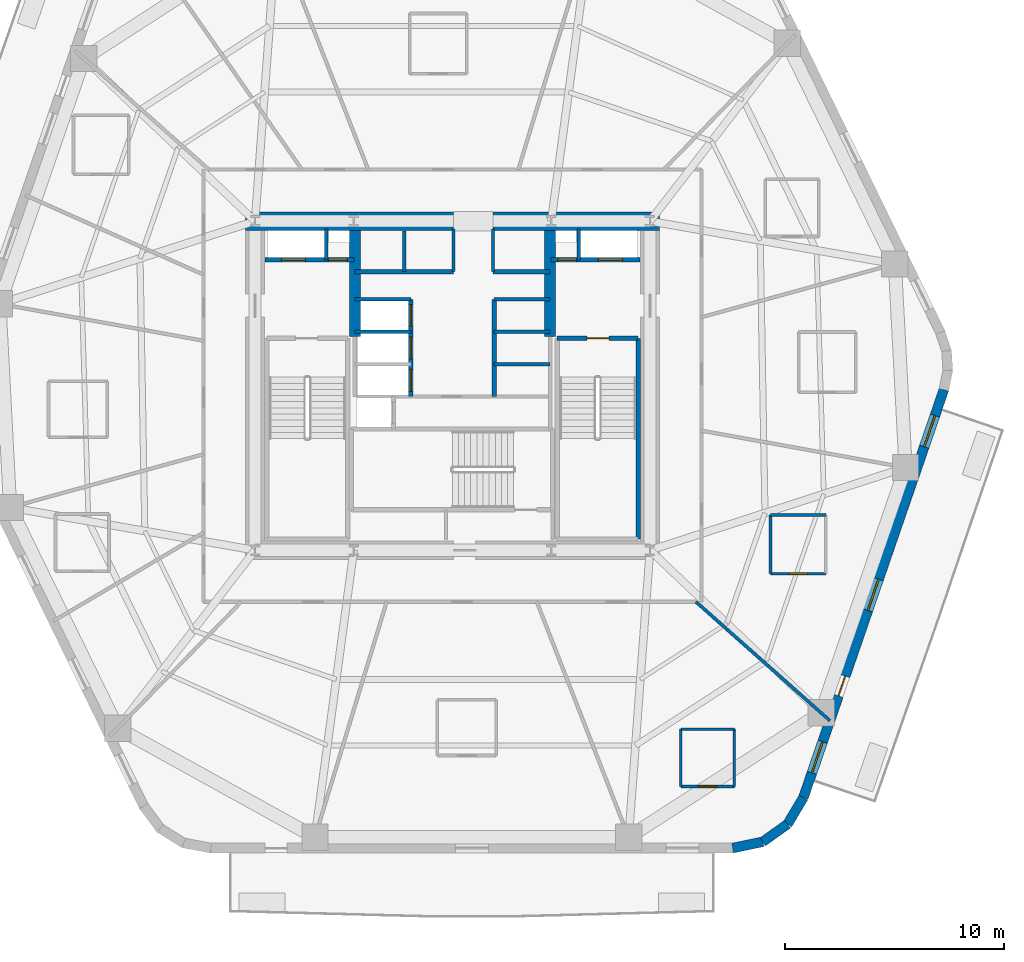
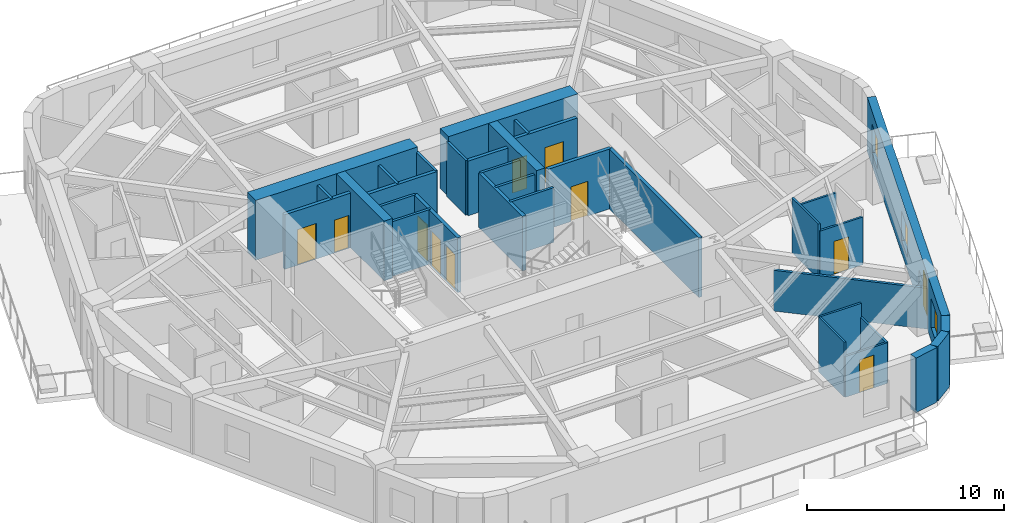
# One storey, part 4 of 8: 34 walls, 11 doors, 3 windows, 14 openings.
"""IFC4 building model written with IfcOpenShell, lengths in metres."""

from ifc_helpers import new_model, si_unit, direction, frame, frame_2d, origin, place, context, subcontext, project, spatial, rectangle, extrude, material, layer, layer_set, type_object, element, fill, save


model = new_model("IFC4")

# Units and contexts
model_context = context("Model", 3, precision=1e-05, world=origin(), true_north=direction((0.0, 1.0)))
body_context = subcontext(model_context, "Body", "Model", "MODEL_VIEW")
ifc_project = project(units=[si_unit("LENGTHUNIT", "METRE"), si_unit("AREAUNIT", "SQUARE_METRE"), si_unit("VOLUMEUNIT", "CUBIC_METRE"), si_unit("PLANEANGLEUNIT", "RADIAN"), si_unit("MASSUNIT", "GRAM", prefix="KILO")], contexts=[model_context])

# Site, building, storey
site_placement = place(None, origin())
site = spatial("IfcSite", under=ifc_project, at=site_placement, CompositionType="ELEMENT")
building_placement = place(site_placement, origin())
building = spatial("IfcBuilding", under=site, at=building_placement, Name="Kilnhurst Terrace Hotel", CompositionType="ELEMENT")
storey_placement = place(building_placement, frame((0.0, 0.0, 135.800048828125)))
storey = spatial("IfcBuildingStorey", under=building, at=storey_placement, Name="L33", CompositionType="ELEMENT", Elevation=135.800048828125)

# Walls
ifc_material_1 = material(Name="Precast concrete C40/50", Category="concrete")
ifc_layer_1 = layer(ifc_material_1, 0.449951171875, Name="Precast concrete C40/50")
ifc_layer_set_1 = layer_set([ifc_layer_1], Name="Precast concrete C40/50")
wall_type_1 = type_object("IfcWallType", Name="WL-BRK-450", PredefinedType="SOLIDWALL", material=ifc_layer_set_1)
wall_1_placement = place(storey_placement, frame((12.7705078125, -21.074951171875, 0.0), z_axis=(0.0, 0.0, 1.0), x_axis=(0.97874281988, 0.205091424819, 0.0)))
element("IfcWall", 1, at=wall_1_placement, inside=storey, type_object=wall_type_1, Name="L33 Rounded Corner Brick Wall C2.1", PredefinedType="SOLIDWALL", context=body_context, shape_type="SweptSolid", body=[
    extrude(rectangle(XDim=1.40576171875, YDim=0.449951171875, at=frame_2d((0.702880859375, 0.0))), origin(), (0.0, 0.0, 1.0), 3.3798828125),
])
wall_2_placement = place(storey_placement, frame((14.146484375, -20.78662109375, 0.0), z_axis=(0.0, 0.0, 1.0), x_axis=(0.814162929117, 0.580636482536, 0.0)))
element("IfcWall", 2, at=wall_2_placement, inside=storey, type_object=wall_type_1, Name="L33 Rounded Corner Brick Wall C2.2", PredefinedType="SOLIDWALL", context=body_context, shape_type="SweptSolid", body=[
    extrude(rectangle(XDim=1.382080078125, YDim=0.449951171875, at=frame_2d((0.69091796875, 0.0))), origin(), (0.0, 0.0, 1.0), 3.3798828125),
])
wall_3_placement = place(storey_placement, frame((15.271728515625, -19.984130859375, 0.0), z_axis=(0.0, 0.0, 1.0), x_axis=(0.512579347361, 0.858639862025, 0.0)))
element("IfcWall", 3, at=wall_3_placement, inside=storey, type_object=wall_type_1, Name="L33 Rounded Corner Brick Wall C2.3", PredefinedType="SOLIDWALL", context=body_context, shape_type="SweptSolid", body=[
    extrude(rectangle(XDim=1.406005859375, YDim=0.449951171875, at=frame_2d((0.703125, 0.0))), origin(), (0.0, 0.0, 1.0), 3.3798828125),
])

# Wall, openings, door, windows
wall_4_placement = place(storey_placement, frame((15.992431640625, -18.77685546875, 0.0), z_axis=(0.0, 0.0, 1.0), x_axis=(0.325606988926, 0.945505202927, 0.0)))
wall_4 = element("IfcWall", 4, at=wall_4_placement, inside=storey, type_object=wall_type_1, Name="L33 Exterior Brick Facade Wall F2", PredefinedType="SOLIDWALL", context=body_context, shape_type="SweptSolid", body=[
    extrude(rectangle(XDim=19.66943359375, YDim=0.449951171875, at=frame_2d((9.834716796875, 0.0))), origin(), (0.0, 0.0, 1.0), 3.3798828125),
])
opening_1_placement = place(wall_4_placement, frame((4.908935546875, 0.0, 0.0)))
opening_1 = element("IfcOpeningElement", 5, at=opening_1_placement, cuts=wall_4, Name="Opening BD-950", PredefinedType="OPENING", context=body_context, shape_type="SweptSolid", body=[
    extrude(rectangle(XDim=0.949951171875, YDim=2.14990234375, at=frame_2d((0.47509765625, 1.074951171875))), frame((0.0, 0.23486328125, 0.0), z_axis=(0.0, -1.0, 0.0), x_axis=(1.0, 0.0, 0.0)), (0.0, 0.0, 1.0), 0.469970703125),
])
opening_2_placement = place(wall_4_placement, frame((1.197021484375, 0.0, 0.800048828125)))
opening_2 = element("IfcOpeningElement", 6, at=opening_2_placement, cuts=wall_4, Name="Opening W-02", PredefinedType="OPENING", context=body_context, shape_type="SweptSolid", body=[
    extrude(rectangle(XDim=1.5, YDim=1.800048828125, at=frame_2d((0.75, 0.89990234375))), frame((0.0, 0.23486328125, 0.0), z_axis=(0.0, -1.0, 0.0), x_axis=(1.0, 0.0, 0.0)), (0.0, 0.0, 1.0), 0.469970703125),
])
opening_3_placement = place(wall_4_placement, frame((9.030029296875, 0.0, 0.800048828125)))
opening_3 = element("IfcOpeningElement", 7, at=opening_3_placement, cuts=wall_4, Name="Opening W-02", PredefinedType="OPENING", context=body_context, shape_type="SweptSolid", body=[
    extrude(rectangle(XDim=1.5, YDim=1.800048828125, at=frame_2d((0.75, 0.89990234375))), frame((0.0, 0.23486328125, 0.0), z_axis=(0.0, -1.0, 0.0), x_axis=(1.0, 0.0, 0.0)), (0.0, 0.0, 1.0), 0.469970703125),
])
opening_4_placement = place(wall_4_placement, frame((16.91796875, 0.0, 0.800048828125)))
opening_4 = element("IfcOpeningElement", 8, at=opening_4_placement, cuts=wall_4, Name="Opening W-02", PredefinedType="OPENING", context=body_context, shape_type="SweptSolid", body=[
    extrude(rectangle(XDim=1.5, YDim=1.800048828125, at=frame_2d((0.75, 0.89990234375))), frame((0.0, 0.23486328125, 0.0), z_axis=(0.0, -1.0, 0.0), x_axis=(1.0, 0.0, 0.0)), (0.0, 0.0, 1.0), 0.469970703125),
])
ifc_material_2 = material(Name="Thermally Broken Bronze Aluminium Alloy 6063-T6 and Laminated Glass", Category="aluminium")
door_type_1 = type_object("IfcDoorType", Name="DR-EXT-BAL-950", OperationType="NOTDEFINED", PredefinedType="DOOR", material=ifc_material_2)
door_1_placement = place(opening_1_placement, origin())
door_1 = element("IfcDoor", 9, at=door_1_placement, inside=storey, type_object=door_type_1, Name="L33 Planted Balcony Door BAL-L1B", OperationType="SINGLE_SWING_RIGHT", OverallHeight=2.14990234375, OverallWidth=0.949951171875, PredefinedType="DOOR", context=body_context, shape_type="SweptSolid", body=[
    extrude(rectangle(XDim=0.949951171875, YDim=2.14990234375, at=frame_2d((0.47509765625, 1.074951171875))), frame((0.0, 0.02490234375, 0.0), z_axis=(0.0, -1.0, 0.0), x_axis=(1.0, 0.0, 0.0)), (0.0, 0.0, 1.0), 0.050048828125),
])
fill(opening_1, door_1)
ifc_material_3 = material(Name="Thermally Broken Bronze Aluminium Alloy 6063-T6 and Low-E Glass", Category="aluminium")
window_type = type_object("IfcWindowType", Name="WIN-1500X1800", PartitioningType="SINGLE_PANEL", PredefinedType="WINDOW", material=ifc_material_3)
window_1_placement = place(opening_2_placement, origin())
window_1 = element("IfcWindow", 10, at=window_1_placement, inside=storey, type_object=window_type, Name="L33 Deep-Set Masonry Window F2.1", OverallHeight=1.800048828125, OverallWidth=1.5, PartitioningType="SINGLE_PANEL", PredefinedType="WINDOW", context=body_context, shape_type="SweptSolid", body=[
    extrude(rectangle(XDim=1.5, YDim=1.800048828125, at=frame_2d((0.75, 0.89990234375))), frame((0.0, 0.030029296875, 0.0), z_axis=(0.0, -1.0, 0.0), x_axis=(1.0, 0.0, 0.0)), (0.0, 0.0, 1.0), 0.06005859375),
])
fill(opening_2, window_1)
window_2_placement = place(opening_3_placement, origin())
window_2 = element("IfcWindow", 11, at=window_2_placement, inside=storey, type_object=window_type, Name="L33 Deep-Set Masonry Window F2.2", OverallHeight=1.800048828125, OverallWidth=1.5, PartitioningType="SINGLE_PANEL", PredefinedType="WINDOW", context=body_context, shape_type="SweptSolid", body=[
    extrude(rectangle(XDim=1.5, YDim=1.800048828125, at=frame_2d((0.75, 0.89990234375))), frame((0.0, 0.030029296875, 0.0), z_axis=(0.0, -1.0, 0.0), x_axis=(1.0, 0.0, 0.0)), (0.0, 0.0, 1.0), 0.06005859375),
])
fill(opening_3, window_2)
window_3_placement = place(opening_4_placement, origin())
window_3 = element("IfcWindow", 12, at=window_3_placement, inside=storey, type_object=window_type, Name="L33 Deep-Set Masonry Window F2.3", OverallHeight=1.800048828125, OverallWidth=1.5, PartitioningType="SINGLE_PANEL", PredefinedType="WINDOW", context=body_context, shape_type="SweptSolid", body=[
    extrude(rectangle(XDim=1.5, YDim=1.800048828125, at=frame_2d((0.75, 0.89990234375))), frame((0.0, 0.030029296875, 0.0), z_axis=(0.0, -1.0, 0.0), x_axis=(1.0, 0.0, 0.0)), (0.0, 0.0, 1.0), 0.06005859375),
])
fill(opening_4, window_3)

# Walls
ifc_material_4 = material(Name="Concrete C80/95", Category="concrete")
ifc_layer_2 = layer(ifc_material_4, 0.85009765625, Name="Concrete C80/95")
ifc_layer_set_2 = layer_set([ifc_layer_2], Name="Concrete C80/95")
wall_type_2 = type_object("IfcWallType", Name="WL-CORE-850", PredefinedType="SHEAR", material=ifc_layer_set_2)
wall_5_placement = place(storey_placement, frame((-9.425048828125, 7.5, 0.0), z_axis=(0.0, 0.0, 1.0), x_axis=(1.0, 0.0, 0.0)))
element("IfcWall", 13, at=wall_5_placement, inside=storey, type_object=wall_type_2, Name="L33 Core North West Shear Wall", PredefinedType="SHEAR", context=body_context, shape_type="SweptSolid", body=[
    extrude(rectangle(XDim=9.47509765625, YDim=0.85009765625, at=frame_2d((4.737548828125, 0.0))), origin(), (0.0, 0.0, 1.0), 3.699951171875),
])
wall_6_placement = place(storey_placement, frame((1.85009765625, 7.5, 0.0), z_axis=(0.0, 0.0, 1.0), x_axis=(1.0, 0.0, 0.0)))
element("IfcWall", 14, at=wall_6_placement, inside=storey, type_object=wall_type_2, Name="L33 Core North East Shear Wall", PredefinedType="SHEAR", context=body_context, shape_type="SweptSolid", body=[
    extrude(rectangle(XDim=7.574951171875, YDim=0.85009765625, at=frame_2d((3.78759765625, 0.0))), origin(), (0.0, 0.0, 1.0), 3.699951171875),
])
ifc_material_5 = material(Name="Concrete C60/75", Category="concrete")
ifc_layer_3 = layer(ifc_material_5, 0.5, Name="Concrete C60/75")
ifc_layer_set_3 = layer_set([ifc_layer_3], Name="Concrete C60/75")
wall_type_3 = type_object("IfcWallType", Name="WL-CORE-WEB-500", PredefinedType="SHEAR", material=ifc_layer_set_3)
for number, where, z_axis, x_axis, name in (
    (15, (-4.449951171875, 2.25, 0.0), (0.0, 0.0, 1.0), (0.0, 1.0, 0.0), "L33 Core Internal West Shear Web"),
    (16, (4.449951171875, 2.25, 0.0), (0.0, 0.0, 1.0), (0.0, 1.0, 0.0), "L33 Core Internal East Shear Web"),
):
    element("IfcWall", number, at=place(storey_placement, frame(where, z_axis=z_axis, x_axis=x_axis)), inside=storey, type_object=wall_type_3, Name=name, PredefinedType="SHEAR", context=body_context, shape_type="SweptSolid", body=[
        extrude(rectangle(XDim=4.824951171875, YDim=0.5, at=frame_2d((2.41259765625, 0.0))), origin(), (0.0, 0.0, 1.0), 3.699951171875),
    ])
ifc_material_6 = material(Name="STC-58 Acoustic Twin-Frame Guestroom Demising Partition")
ifc_layer_4 = layer(ifc_material_6, 0.14990234375, Name="STC-58 Acoustic Twin-Frame Guestroom Demising Partition")
ifc_layer_set_4 = layer_set([ifc_layer_4], Name="STC-58 Acoustic Twin-Frame Guestroom Demising Partition")
wall_type_4 = type_object("IfcWallType", Name="WL-DEM-150", PredefinedType="PARTITIONING", material=ifc_layer_set_4)
wall_7_placement = place(storey_placement, frame((11.097900390625, -9.85009765625, 0.0), z_axis=(0.0, 0.0, 1.0), x_axis=(0.747904295103, -0.663806572253, 0.0)))
element("IfcWall", 17, at=wall_7_placement, inside=storey, type_object=wall_type_4, Name="L33 Interior Wall WL-L33-DEM-COL11-14-1", PredefinedType="PARTITIONING", context=body_context, shape_type="SweptSolid", body=[
    extrude(rectangle(XDim=8.160400390625, YDim=0.14990234375, at=frame_2d((4.080078125, 0.0))), origin(), (0.0, 0.0, 1.0), 2.52001953125),
])

# Wall, opening, door
ifc_material_7 = material(Name="120 mm Moisture-Resistant Tile-Backed Bathroom Partition")
ifc_layer_5 = layer(ifc_material_7, 0.1201171875, Name="120 mm Moisture-Resistant Tile-Backed Bathroom Partition")
ifc_layer_set_5 = layer_set([ifc_layer_5], Name="120 mm Moisture-Resistant Tile-Backed Bathroom Partition")
wall_type_5 = type_object("IfcWallType", Name="WL-PART-120", PredefinedType="PARTITIONING", material=ifc_layer_set_5)
wall_8_placement = place(storey_placement, frame((10.405029296875, -18.264892578125, 0.0), z_axis=(0.0, 0.0, 1.0), x_axis=(1.0, 0.0, 0.0)))
wall_8 = element("IfcWall", 18, at=wall_8_placement, inside=storey, type_object=wall_type_5, Name="L33 Interior Wall WL-L33-BTH-13-1", PredefinedType="PARTITIONING", context=body_context, shape_type="SweptSolid", body=[
    extrude(rectangle(XDim=2.43994140625, YDim=0.1201171875, at=frame_2d((1.219970703125, 0.0))), origin(), (0.0, 0.0, 1.0), 2.52001953125),
])
opening_5_placement = place(wall_8_placement, frame((0.794921875, 0.0, 0.0)))
opening_5 = element("IfcOpeningElement", 19, at=opening_5_placement, cuts=wall_8, Name="Opening D-08A", PredefinedType="OPENING", context=body_context, shape_type="SweptSolid", body=[
    extrude(rectangle(XDim=0.85009765625, YDim=2.030029296875, at=frame_2d((0.425048828125, 1.01513671875))), frame((0.0, 0.070068359375, 0.0), z_axis=(0.0, -1.0, 0.0), x_axis=(1.0, 0.0, 0.0)), (0.0, 0.0, 1.0), 0.14013671875),
])
ifc_material_8 = material(Name="Moisture-Resistant Lacquered En-suite Bathroom Door")
door_type_2 = type_object("IfcDoorType", Name="DR-INT-850", OperationType="NOTDEFINED", PredefinedType="DOOR", material=ifc_material_8)
door_2_placement = place(opening_5_placement, origin())
door_2 = element("IfcDoor", 20, at=door_2_placement, inside=storey, type_object=door_type_2, Name="L33 En-suite Bathroom Door 13", OperationType="SINGLE_SWING_RIGHT", OverallHeight=2.030029296875, OverallWidth=0.85009765625, PredefinedType="DOOR", context=body_context, shape_type="SweptSolid", body=[
    extrude(rectangle(XDim=0.85009765625, YDim=2.030029296875, at=frame_2d((0.425048828125, 1.01513671875))), frame((0.0, 0.02490234375, 0.0), z_axis=(0.0, -1.0, 0.0), x_axis=(1.0, 0.0, 0.0)), (0.0, 0.0, 1.0), 0.050048828125),
])
fill(opening_5, door_2)

# Walls
wall_9_placement = place(storey_placement, frame((12.844970703125, -18.264892578125, 0.0), z_axis=(0.0, 0.0, 1.0), x_axis=(0.0, 1.0, 0.0)))
element("IfcWall", 21, at=wall_9_placement, inside=storey, type_object=wall_type_5, Name="L33 Interior Wall WL-L33-BTH-13-2", PredefinedType="PARTITIONING", context=body_context, shape_type="SweptSolid", body=[
    extrude(rectangle(XDim=2.60986328125, YDim=0.1201171875, at=frame_2d((1.304931640625, 0.0))), origin(), (0.0, 0.0, 1.0), 2.52001953125),
])
wall_10_placement = place(storey_placement, frame((12.844970703125, -15.655029296875, 0.0), z_axis=(0.0, 0.0, 1.0), x_axis=(-1.0, 0.0, 0.0)))
element("IfcWall", 22, at=wall_10_placement, inside=storey, type_object=wall_type_5, Name="L33 Interior Wall WL-L33-BTH-13-3", PredefinedType="PARTITIONING", context=body_context, shape_type="SweptSolid", body=[
    extrude(rectangle(XDim=2.43994140625, YDim=0.1201171875, at=frame_2d((1.219970703125, 0.0))), origin(), (0.0, 0.0, 1.0), 3.3798828125),
])
wall_11_placement = place(storey_placement, frame((10.405029296875, -15.655029296875, 0.0), z_axis=(0.0, 0.0, 1.0), x_axis=(0.0, -1.0, 0.0)))
element("IfcWall", 23, at=wall_11_placement, inside=storey, type_object=wall_type_5, Name="L33 Interior Wall WL-L33-BTH-13-4", PredefinedType="PARTITIONING", context=body_context, shape_type="SweptSolid", body=[
    extrude(rectangle(XDim=2.60986328125, YDim=0.1201171875, at=frame_2d((1.304931640625, 0.0))), origin(), (0.0, 0.0, 1.0), 3.3798828125),
])

# Wall, opening, door
wall_12_placement = place(storey_placement, frame((14.493896484375, -8.570068359375, 0.0), z_axis=(0.0, 0.0, 1.0), x_axis=(1.0, 0.0, 0.0)))
wall_12 = element("IfcWall", 24, at=wall_12_placement, inside=storey, type_object=wall_type_5, Name="L33 Interior Wall WL-L33-BTH-14-1", PredefinedType="PARTITIONING", context=body_context, shape_type="SweptSolid", body=[
    extrude(rectangle(XDim=2.52001953125, YDim=0.1201171875, at=frame_2d((1.260009765625, 0.0))), origin(), (0.0, 0.0, 1.0), 2.952392578125),
])
opening_6_placement = place(wall_12_placement, frame((0.8349609375, 0.0, 0.0)))
opening_6 = element("IfcOpeningElement", 25, at=opening_6_placement, cuts=wall_12, Name="Opening D-08A", PredefinedType="OPENING", context=body_context, shape_type="SweptSolid", body=[
    extrude(rectangle(XDim=0.85009765625, YDim=2.030029296875, at=frame_2d((0.425048828125, 1.01513671875))), frame((0.0, 0.070068359375, 0.0), z_axis=(0.0, -1.0, 0.0), x_axis=(1.0, 0.0, 0.0)), (0.0, 0.0, 1.0), 0.14013671875),
])
door_3_placement = place(opening_6_placement, origin())
door_3 = element("IfcDoor", 26, at=door_3_placement, inside=storey, type_object=door_type_2, Name="L33 En-suite Bathroom Door 14", OperationType="SINGLE_SWING_LEFT", OverallHeight=2.030029296875, OverallWidth=0.85009765625, PredefinedType="DOOR", context=body_context, shape_type="SweptSolid", body=[
    extrude(rectangle(XDim=0.85009765625, YDim=2.030029296875, at=frame_2d((0.425048828125, 1.01513671875))), frame((0.0, 0.02490234375, 0.0), z_axis=(0.0, -1.0, 0.0), x_axis=(1.0, 0.0, 0.0)), (0.0, 0.0, 1.0), 0.050048828125),
])
fill(opening_6, door_3)

# Walls
wall_13_placement = place(storey_placement, frame((17.013916015625, -5.889892578125, 0.0), z_axis=(0.0, 0.0, 1.0), x_axis=(-1.0, 0.0, 0.0)))
element("IfcWall", 27, at=wall_13_placement, inside=storey, type_object=wall_type_5, Name="L33 Interior Wall WL-L33-BTH-14-3", PredefinedType="PARTITIONING", context=body_context, shape_type="SweptSolid", body=[
    extrude(rectangle(XDim=2.52001953125, YDim=0.1201171875, at=frame_2d((1.260009765625, 0.0))), origin(), (0.0, 0.0, 1.0), 2.820068359375),
])
wall_14_placement = place(storey_placement, frame((14.493896484375, -5.889892578125, 0.0), z_axis=(0.0, 0.0, 1.0), x_axis=(0.0, -1.0, 0.0)))
element("IfcWall", 28, at=wall_14_placement, inside=storey, type_object=wall_type_5, Name="L33 Interior Wall WL-L33-BTH-14-4", PredefinedType="PARTITIONING", context=body_context, shape_type="SweptSolid", body=[
    extrude(rectangle(XDim=2.68017578125, YDim=0.1201171875, at=frame_2d((1.340087890625, 0.0))), origin(), (0.0, 0.0, 1.0), 3.3798828125),
])
ifc_material_9 = material(Name="Fire-Rated Gypsum Shaftliner Assembly")
ifc_layer_6 = layer(ifc_material_9, 0.14990234375, Name="Fire-Rated Gypsum Shaftliner Assembly")
ifc_layer_set_6 = layer_set([ifc_layer_6], Name="Fire-Rated Gypsum Shaftliner Assembly")
wall_type_6 = type_object("IfcWallType", Name="WL-SHAFT-150", PredefinedType="PARTITIONING", material=ifc_layer_set_6)
for number, where, z_axis, x_axis, name in (
    (29, (-5.75, 5.739990234375, 0.0), (0.0, 0.0, 1.0), (0.0, 1.0, 0.0), "L33 Interior Wall WL-L33-RIS1-DIV"),
    (30, (5.75, 5.739990234375, 0.0), (0.0, 0.0, 1.0), (0.0, 1.0, 0.0), "L33 Interior Wall WL-L33-RIS2-DIV"),
):
    element("IfcWall", number, at=place(storey_placement, frame(where, z_axis=z_axis, x_axis=x_axis)), inside=storey, type_object=wall_type_6, Name=name, PredefinedType="PARTITIONING", context=body_context, shape_type="SweptSolid", body=[
        extrude(rectangle(XDim=1.409912109375, YDim=0.14990234375, at=frame_2d((0.705078125, 0.0))), origin(), (0.0, 0.0, 1.0), 3.3798828125),
    ])
wall_15_placement = place(storey_placement, frame((-2.199951171875, 5.199951171875, 0.0), z_axis=(0.0, 0.0, 1.0), x_axis=(0.0, 1.0, 0.0)))
element("IfcWall", 31, at=wall_15_placement, inside=storey, type_object=wall_type_6, Name="L33 Interior Wall WL-L33-HR-DIV1", PredefinedType="PARTITIONING", context=body_context, shape_type="SweptSolid", body=[
    extrude(rectangle(XDim=1.85009765625, YDim=0.14990234375, at=frame_2d((0.925048828125, 0.0))), origin(), (0.0, 0.0, 1.0), 3.3798828125),
])
for number, where, z_axis, x_axis, name in (
    (32, (0.050048828125, 5.199951171875, 0.0), (0.0, 0.0, 1.0), (0.0, 1.0, 0.0), "L33 Interior Wall WL-L33-HR-PORTAL-W"),
    (33, (1.85009765625, 5.199951171875, 0.0), (0.0, 0.0, 1.0), (0.0, 1.0, 0.0), "L33 Interior Wall WL-L33-HR-PORTAL-E"),
):
    element("IfcWall", number, at=place(storey_placement, frame(where, z_axis=z_axis, x_axis=x_axis)), inside=storey, type_object=wall_type_6, Name=name, PredefinedType="PARTITIONING", context=body_context, shape_type="SweptSolid", body=[
        extrude(rectangle(XDim=1.949951171875, YDim=0.14990234375, at=frame_2d((0.97509765625, 0.0))), origin(), (0.0, 0.0, 1.0), 3.3798828125),
    ])
for number, where, z_axis, x_axis, name in (
    (34, (-4.449951171875, 3.93994140625, 0.0), (0.0, 0.0, 1.0), (1.0, 0.0, 0.0), "L33 Interior Wall WL-L33-LR-NORTH"),
    (35, (-4.449951171875, 2.4599609375, 0.0), (0.0, 0.0, 1.0), (1.0, 0.0, 0.0), "L33 Interior Wall WL-L33-LR-D2"),
    (36, (1.89990234375, 3.93994140625, 0.0), (0.0, 0.0, 1.0), (1.0, 0.0, 0.0), "L33 Interior Wall WL-L33-MR-NORTH"),
    (37, (1.89990234375, 0.97998046875, 0.0), (0.0, 0.0, 1.0), (1.0, 0.0, 0.0), "L33 Interior Wall WL-L33-MR-D1"),
    (38, (1.89990234375, 2.4599609375, 0.0), (0.0, 0.0, 1.0), (1.0, 0.0, 0.0), "L33 Interior Wall WL-L33-MR-D2"),
):
    element("IfcWall", number, at=place(storey_placement, frame(where, z_axis=z_axis, x_axis=x_axis)), inside=storey, type_object=wall_type_6, Name=name, PredefinedType="PARTITIONING", context=body_context, shape_type="SweptSolid", body=[
        extrude(rectangle(XDim=2.550048828125, YDim=0.14990234375, at=frame_2d((1.27490234375, 0.0))), origin(), (0.0, 0.0, 1.0), 3.3798828125),
    ])

# Wall, openings, doors
ifc_material_10 = material(Name="Autoclaved Aerated Concrete C30/37 and Gypsum Shaft Assembly", Category="concrete")
ifc_layer_7 = layer(ifc_material_10, 0.199951171875, Name="Autoclaved Aerated Concrete C30/37 and Gypsum Shaft Assembly")
ifc_layer_set_7 = layer_set([ifc_layer_7], Name="Autoclaved Aerated Concrete C30/37 and Gypsum Shaft Assembly")
wall_type_7 = type_object("IfcWallType", Name="WL-SHAFT-200", PredefinedType="PARTITIONING", material=ifc_layer_set_7)
wall_16_placement = place(storey_placement, frame((-8.550048828125, 5.739990234375, 0.0), z_axis=(0.0, 0.0, 1.0), x_axis=(1.0, 0.0, 0.0)))
wall_16 = element("IfcWall", 39, at=wall_16_placement, inside=storey, type_object=wall_type_7, Name="L33 Interior Wall WL-L33-FSAE1-S", PredefinedType="PARTITIONING", context=body_context, shape_type="SweptSolid", body=[
    extrude(rectangle(XDim=4.050048828125, YDim=0.199951171875, at=frame_2d((2.02490234375, 0.0))), origin(), (0.0, 0.0, 1.0), 3.3798828125),
])
opening_7_placement = place(wall_16_placement, frame((0.75, 0.0, 0.0)))
opening_7 = element("IfcOpeningElement", 40, at=opening_7_placement, cuts=wall_16, Name="Opening LD-F1", PredefinedType="OPENING", context=body_context, shape_type="SweptSolid", body=[
    extrude(rectangle(XDim=1.10009765625, YDim=2.199951171875, at=frame_2d((0.550048828125, 1.10009765625))), frame((0.0, 0.10986328125, 0.0), z_axis=(0.0, -1.0, 0.0), x_axis=(1.0, 0.0, 0.0)), (0.0, 0.0, 1.0), 0.219970703125),
])
opening_8_placement = place(wall_16_placement, frame((2.89990234375, 0.0, 0.0)))
opening_8 = element("IfcOpeningElement", 41, at=opening_8_placement, cuts=wall_16, Name="Opening D-60D", PredefinedType="OPENING", context=body_context, shape_type="SweptSolid", body=[
    extrude(rectangle(XDim=0.85009765625, YDim=2.030029296875, at=frame_2d((0.425048828125, 1.01513671875))), frame((0.0, 0.10986328125, 0.0), z_axis=(0.0, -1.0, 0.0), x_axis=(1.0, 0.0, 0.0)), (0.0, 0.0, 1.0), 0.219970703125),
])
ifc_material_11 = material(Name="Painted Hollow Metal Steel ASTM A36 Riser Door", Category="steel")
door_type_3 = type_object("IfcDoorType", Name="DR-FD60-850", OperationType="NOTDEFINED", PredefinedType="DOOR", material=ifc_material_11)
door_4_placement = place(opening_8_placement, origin())
door_4 = element("IfcDoor", 42, at=door_4_placement, inside=storey, type_object=door_type_3, Name="L33 Electrical Riser Door", OperationType="SINGLE_SWING_LEFT", OverallHeight=2.030029296875, OverallWidth=0.85009765625, PredefinedType="DOOR", context=body_context, shape_type="SweptSolid", body=[
    extrude(rectangle(XDim=0.85009765625, YDim=2.030029296875, at=frame_2d((0.425048828125, 1.01513671875))), frame((0.0, 0.02490234375, 0.0), z_axis=(0.0, -1.0, 0.0), x_axis=(1.0, 0.0, 0.0)), (0.0, 0.0, 1.0), 0.050048828125),
])
fill(opening_8, door_4)
ifc_material_12 = material(Name="Bronze-Anodized Stainless Steel AISI 316L Sliding Door", Category="steel")
door_type_4 = type_object("IfcDoorType", Name="DR-LIFT-1100", OperationType="NOTDEFINED", PredefinedType="DOOR", material=ifc_material_12)
door_5_placement = place(opening_7_placement, origin())
door_5 = element("IfcDoor", 43, at=door_5_placement, inside=storey, type_object=door_type_4, Name="L33 FSAE-1 Landing Door", OperationType="SLIDING_TO_LEFT", OverallHeight=2.199951171875, OverallWidth=1.10009765625, PredefinedType="DOOR", context=body_context, shape_type="SweptSolid", body=[
    extrude(rectangle(XDim=1.10009765625, YDim=2.199951171875, at=frame_2d((0.550048828125, 1.10009765625))), frame((0.0, 0.02490234375, 0.0), z_axis=(0.0, -1.0, 0.0), x_axis=(1.0, 0.0, 0.0)), (0.0, 0.0, 1.0), 0.050048828125),
])
fill(opening_7, door_5)

wall_17_placement = place(storey_placement, frame((4.5, 5.739990234375, 0.0), z_axis=(0.0, 0.0, 1.0), x_axis=(1.0, 0.0, 0.0)))
wall_17 = element("IfcWall", 44, at=wall_17_placement, inside=storey, type_object=wall_type_7, Name="L33 Interior Wall WL-L33-FSAE2-S", PredefinedType="PARTITIONING", context=body_context, shape_type="SweptSolid", body=[
    extrude(rectangle(XDim=4.050048828125, YDim=0.199951171875, at=frame_2d((2.02490234375, 0.0))), origin(), (0.0, 0.0, 1.0), 3.3798828125),
])
opening_9_placement = place(wall_17_placement, frame((0.300048828125, 0.0, 0.0)))
opening_9 = element("IfcOpeningElement", 45, at=opening_9_placement, cuts=wall_17, Name="Opening D-60D", PredefinedType="OPENING", context=body_context, shape_type="SweptSolid", body=[
    extrude(rectangle(XDim=0.85009765625, YDim=2.030029296875, at=frame_2d((0.425048828125, 1.01513671875))), frame((0.0, 0.10986328125, 0.0), z_axis=(0.0, -1.0, 0.0), x_axis=(1.0, 0.0, 0.0)), (0.0, 0.0, 1.0), 0.219970703125),
])
opening_10_placement = place(wall_17_placement, frame((2.14990234375, 0.0, 0.0)))
opening_10 = element("IfcOpeningElement", 46, at=opening_10_placement, cuts=wall_17, Name="Opening LD-F2", PredefinedType="OPENING", context=body_context, shape_type="SweptSolid", body=[
    extrude(rectangle(XDim=1.10009765625, YDim=2.199951171875, at=frame_2d((0.550048828125, 1.10009765625))), frame((0.0, 0.10986328125, 0.0), z_axis=(0.0, -1.0, 0.0), x_axis=(1.0, 0.0, 0.0)), (0.0, 0.0, 1.0), 0.219970703125),
])
door_6_placement = place(opening_9_placement, origin())
door_6 = element("IfcDoor", 47, at=door_6_placement, inside=storey, type_object=door_type_3, Name="L33 Telecom Riser Door", OperationType="SINGLE_SWING_RIGHT", OverallHeight=2.030029296875, OverallWidth=0.85009765625, PredefinedType="DOOR", context=body_context, shape_type="SweptSolid", body=[
    extrude(rectangle(XDim=0.85009765625, YDim=2.030029296875, at=frame_2d((0.425048828125, 1.01513671875))), frame((0.0, 0.02490234375, 0.0), z_axis=(0.0, -1.0, 0.0), x_axis=(1.0, 0.0, 0.0)), (0.0, 0.0, 1.0), 0.050048828125),
])
fill(opening_9, door_6)
door_7_placement = place(opening_10_placement, origin())
door_7 = element("IfcDoor", 48, at=door_7_placement, inside=storey, type_object=door_type_4, Name="L33 FSAE-2 Landing Door", OperationType="SLIDING_TO_RIGHT", OverallHeight=2.199951171875, OverallWidth=1.10009765625, PredefinedType="DOOR", context=body_context, shape_type="SweptSolid", body=[
    extrude(rectangle(XDim=1.10009765625, YDim=2.199951171875, at=frame_2d((0.550048828125, 1.10009765625))), frame((0.0, 0.02490234375, 0.0), z_axis=(0.0, -1.0, 0.0), x_axis=(1.0, 0.0, 0.0)), (0.0, 0.0, 1.0), 0.050048828125),
])
fill(opening_10, door_7)

# Walls
wall_18_placement = place(storey_placement, frame((-4.449951171875, 5.199951171875, 0.0), z_axis=(0.0, 0.0, 1.0), x_axis=(1.0, 0.0, 0.0)))
element("IfcWall", 49, at=wall_18_placement, inside=storey, type_object=wall_type_7, Name="L33 Interior Wall WL-L33-HR-SW", PredefinedType="PARTITIONING", context=body_context, shape_type="SweptSolid", body=[
    extrude(rectangle(XDim=4.5, YDim=0.199951171875, at=frame_2d((2.25, 0.0))), origin(), (0.0, 0.0, 1.0), 3.3798828125),
])
wall_19_placement = place(storey_placement, frame((1.85009765625, 5.199951171875, 0.0), z_axis=(0.0, 0.0, 1.0), x_axis=(1.0, 0.0, 0.0)))
element("IfcWall", 50, at=wall_19_placement, inside=storey, type_object=wall_type_7, Name="L33 Interior Wall WL-L33-HR-SE", PredefinedType="PARTITIONING", context=body_context, shape_type="SweptSolid", body=[
    extrude(rectangle(XDim=2.599853515625, YDim=0.199951171875, at=frame_2d((1.2998046875, 0.0))), origin(), (0.0, 0.0, 1.0), 3.3798828125),
])

# Wall, openings, doors
wall_20_placement = place(storey_placement, frame((-1.89990234375, -0.5, 0.0), z_axis=(0.0, 0.0, 1.0), x_axis=(0.0, 1.0, 0.0)))
wall_20 = element("IfcWall", 51, at=wall_20_placement, inside=storey, type_object=wall_type_7, Name="L33 Interior Wall WL-L33-LR-FRONT", PredefinedType="PARTITIONING", context=body_context, shape_type="SweptSolid", body=[
    extrude(rectangle(XDim=4.43994140625, YDim=0.199951171875, at=frame_2d((2.219970703125, 0.0))), origin(), (0.0, 0.0, 1.0), 3.3798828125),
])
opening_11_placement = place(wall_20_placement, frame((0.239990234375, 0.0, 0.0)))
opening_11 = element("IfcOpeningElement", 52, at=opening_11_placement, cuts=wall_20, Name="Opening LD-LR", PredefinedType="OPENING", context=body_context, shape_type="SweptSolid", body=[
    extrude(rectangle(XDim=1.0, YDim=2.199951171875, at=frame_2d((0.5, 1.10009765625))), frame((0.0, 0.10986328125, 0.0), z_axis=(0.0, -1.0, 0.0), x_axis=(1.0, 0.0, 0.0)), (0.0, 0.0, 1.0), 0.219970703125),
])
opening_12_placement = place(wall_20_placement, frame((1.719970703125, 0.0, 0.0)))
opening_12 = element("IfcOpeningElement", 53, at=opening_12_placement, cuts=wall_20, Name="Opening LD-LR", PredefinedType="OPENING", context=body_context, shape_type="SweptSolid", body=[
    extrude(rectangle(XDim=1.0, YDim=2.199951171875, at=frame_2d((0.5, 1.10009765625))), frame((0.0, 0.10986328125, 0.0), z_axis=(0.0, -1.0, 0.0), x_axis=(1.0, 0.0, 0.0)), (0.0, 0.0, 1.0), 0.219970703125),
])
opening_13_placement = place(wall_20_placement, frame((3.199951171875, 0.0, 0.0)))
opening_13 = element("IfcOpeningElement", 54, at=opening_13_placement, cuts=wall_20, Name="Opening LD-LR", PredefinedType="OPENING", context=body_context, shape_type="SweptSolid", body=[
    extrude(rectangle(XDim=1.0, YDim=2.199951171875, at=frame_2d((0.5, 1.10009765625))), frame((0.0, 0.10986328125, 0.0), z_axis=(0.0, -1.0, 0.0), x_axis=(1.0, 0.0, 0.0)), (0.0, 0.0, 1.0), 0.219970703125),
])
door_type_5 = type_object("IfcDoorType", Name="DR-LIFT-1000", OperationType="NOTDEFINED", PredefinedType="DOOR", material=ifc_material_12)
door_8_placement = place(opening_11_placement, origin())
door_8 = element("IfcDoor", 55, at=door_8_placement, inside=storey, type_object=door_type_5, Name="L33 Low Rise Lift LR-1 Landing Door", OperationType="SLIDING_TO_LEFT", OverallHeight=2.199951171875, OverallWidth=1.0, PredefinedType="DOOR", context=body_context, shape_type="SweptSolid", body=[
    extrude(rectangle(XDim=1.0, YDim=2.199951171875, at=frame_2d((0.5, 1.10009765625))), frame((0.0, 0.02490234375, 0.0), z_axis=(0.0, -1.0, 0.0), x_axis=(1.0, 0.0, 0.0)), (0.0, 0.0, 1.0), 0.050048828125),
])
fill(opening_11, door_8)
door_9_placement = place(opening_12_placement, origin())
door_9 = element("IfcDoor", 56, at=door_9_placement, inside=storey, type_object=door_type_5, Name="L33 Low Rise Lift LR-2 Landing Door", OperationType="SLIDING_TO_LEFT", OverallHeight=2.199951171875, OverallWidth=1.0, PredefinedType="DOOR", context=body_context, shape_type="SweptSolid", body=[
    extrude(rectangle(XDim=1.0, YDim=2.199951171875, at=frame_2d((0.5, 1.10009765625))), frame((0.0, 0.02490234375, 0.0), z_axis=(0.0, -1.0, 0.0), x_axis=(1.0, 0.0, 0.0)), (0.0, 0.0, 1.0), 0.050048828125),
])
fill(opening_12, door_9)
door_10_placement = place(opening_13_placement, origin())
door_10 = element("IfcDoor", 57, at=door_10_placement, inside=storey, type_object=door_type_5, Name="L33 Low Rise Lift LR-3 Landing Door", OperationType="SLIDING_TO_LEFT", OverallHeight=2.199951171875, OverallWidth=1.0, PredefinedType="DOOR", context=body_context, shape_type="SweptSolid", body=[
    extrude(rectangle(XDim=1.0, YDim=2.199951171875, at=frame_2d((0.5, 1.10009765625))), frame((0.0, 0.02490234375, 0.0), z_axis=(0.0, -1.0, 0.0), x_axis=(1.0, 0.0, 0.0)), (0.0, 0.0, 1.0), 0.050048828125),
])
fill(opening_13, door_10)

# Walls
wall_21_placement = place(storey_placement, frame((1.89990234375, -0.5, 0.0), z_axis=(0.0, 0.0, 1.0), x_axis=(0.0, 1.0, 0.0)))
element("IfcWall", 58, at=wall_21_placement, inside=storey, type_object=wall_type_7, Name="L33 Interior Wall WL-L33-MR-FRONT", PredefinedType="PARTITIONING", context=body_context, shape_type="SweptSolid", body=[
    extrude(rectangle(XDim=4.43994140625, YDim=0.199951171875, at=frame_2d((2.219970703125, 0.0))), origin(), (0.0, 0.0, 1.0), 3.3798828125),
])
ifc_material_13 = material(Name="Concrete C50/60", Category="concrete")
ifc_layer_8 = layer(ifc_material_13, 0.199951171875, Name="Concrete C50/60")
ifc_layer_set_8 = layer_set([ifc_layer_8], Name="Concrete C50/60")
wall_type_8 = type_object("IfcWallType", Name="WL-STAIR-RC-200", PredefinedType="SHEAR", material=ifc_layer_set_8)
wall_22_placement = place(storey_placement, frame((8.4580078125, -6.985107421875, 0.0), z_axis=(0.0, 0.0, 1.0), x_axis=(0.0, 1.0, 0.0)))
element("IfcWall", 59, at=wall_22_placement, inside=storey, type_object=wall_type_8, Name="L33 Structural Stair Shaft Wall WL-L33-ST2-E", PredefinedType="SHEAR", context=body_context, shape_type="SweptSolid", body=[
    extrude(rectangle(XDim=9.14306640625, YDim=0.199951171875, at=frame_2d((4.571533203125, 0.0))), origin(), (0.0, 0.0, 1.0), 3.699951171875),
])

# Wall, opening, door
wall_23_placement = place(storey_placement, frame((4.77197265625, 2.157958984375, 0.0), z_axis=(0.0, 0.0, 1.0), x_axis=(1.0, 0.0, 0.0)))
wall_23 = element("IfcWall", 60, at=wall_23_placement, inside=storey, type_object=wall_type_8, Name="L33 Structural Stair Shaft Wall WL-L33-ST2-N", PredefinedType="SHEAR", context=body_context, shape_type="SweptSolid", body=[
    extrude(rectangle(XDim=3.68603515625, YDim=0.199951171875, at=frame_2d((1.843017578125, 0.0))), origin(), (0.0, 0.0, 1.0), 3.699951171875),
])
opening_14_placement = place(wall_23_placement, frame((1.35009765625, 0.0, 0.0)))
opening_14 = element("IfcOpeningElement", 61, at=opening_14_placement, cuts=wall_23, Name="Opening D-90B", PredefinedType="OPENING", context=body_context, shape_type="SweptSolid", body=[
    extrude(rectangle(XDim=1.0, YDim=2.14990234375, at=frame_2d((0.5, 1.074951171875))), frame((0.0, 0.10986328125, 0.0), z_axis=(0.0, -1.0, 0.0), x_axis=(1.0, 0.0, 0.0)), (0.0, 0.0, 1.0), 0.219970703125),
])
ifc_material_14 = material(Name="Painted Hollow Metal Steel ASTM A36 Fire Door", Category="steel")
door_type_6 = type_object("IfcDoorType", Name="DR-FD90-1000", OperationType="NOTDEFINED", PredefinedType="DOOR", material=ifc_material_14)
door_11_placement = place(opening_14_placement, origin())
door_11 = element("IfcDoor", 62, at=door_11_placement, inside=storey, type_object=door_type_6, Name="L33 Stair ST-2 Door", OperationType="SINGLE_SWING_RIGHT", OverallHeight=2.14990234375, OverallWidth=1.0, PredefinedType="DOOR", context=body_context, shape_type="SweptSolid", body=[
    extrude(rectangle(XDim=1.0, YDim=2.14990234375, at=frame_2d((0.5, 1.074951171875))), frame((0.0, 0.02490234375, 0.0), z_axis=(0.0, -1.0, 0.0), x_axis=(1.0, 0.0, 0.0)), (0.0, 0.0, 1.0), 0.050048828125),
])
fill(opening_14, door_11)

save(model, "model.ifc")
